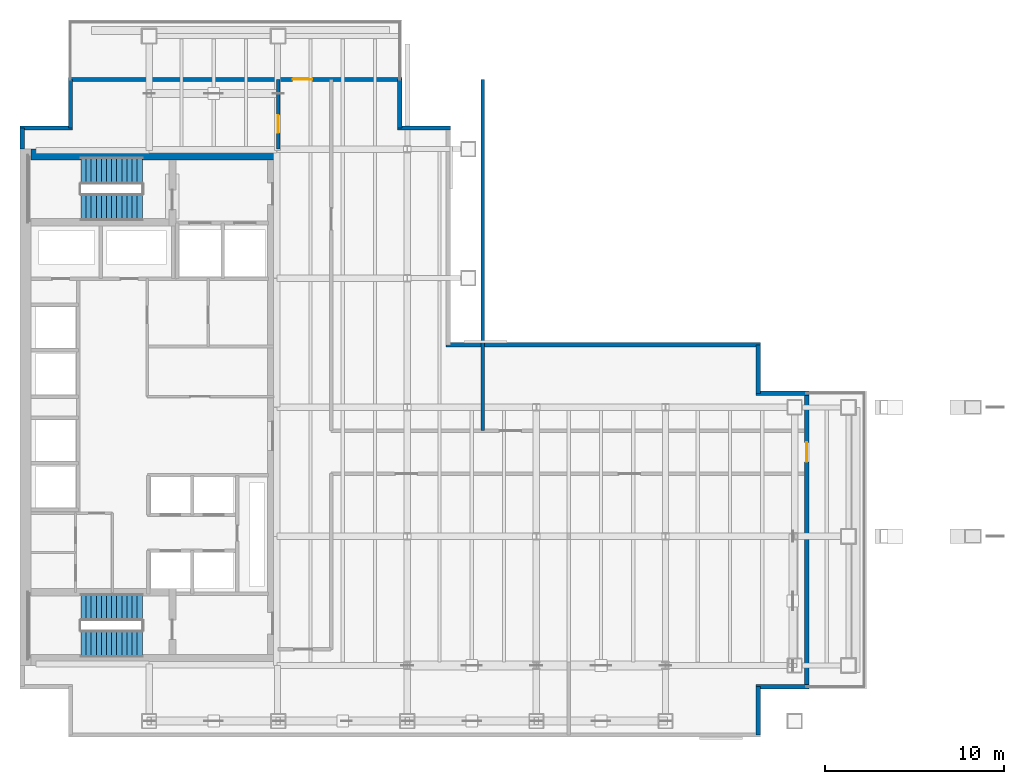
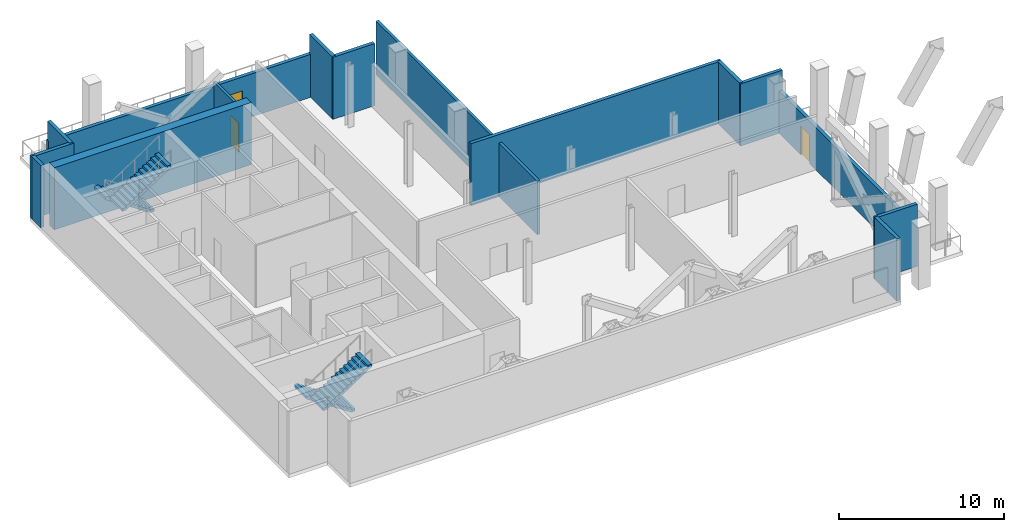
# One storey, part 6 of 8: 15 walls, 4 stair flights, 3 doors, 3 openings, 2 elements without a shape of their own.
"""IFC4 building model written with IfcOpenShell, lengths in metres."""

import ifcopenshell
import ifcopenshell.guid

model = None  # the IFC model being written
_history = None  # IfcOwnerHistory: only IFC2X3 demands one
_inside = {}  # id of a spatial element -> (the spatial element, [elements in it])
_under = {}  # id of a project, library or spatial element -> (it, [spatial elements below it])
_declared = {}  # id of a project -> (the project, [libraries it declares])
_typed = {}  # id of a type object -> (the type object, [elements of that type])
_made_of = {}  # id of a material, layer set ... -> (it, [elements and type objects made of it])


def new_model(schema):
    """Start an empty IFC model of exactly this schema.

    Asked for "IFC4X3", IfcOpenShell would pick the latest addendum, in which some entities
    have other attributes; the version numbers below select the first issue.
    IFC2X3 requires an IfcOwnerHistory on every rooted entity: one is made here for all.
    """
    global model, _history
    if schema == "IFC4X3":
        model = ifcopenshell.file(schema_version=(4, 3, 0, 0))
    else:
        model = ifcopenshell.file(schema=schema)
    _inside.clear()
    _under.clear()
    _declared.clear()
    _typed.clear()
    _made_of.clear()
    _history = None
    if model.schema == "IFC2X3":
        org = make("IfcOrganization", Name="unknown")
        user = make(
            "IfcPersonAndOrganization",
            ThePerson=make("IfcPerson", FamilyName="unknown"),
            TheOrganization=org,
        )
        app = make(
            "IfcApplication",
            ApplicationDeveloper=org,
            Version="unknown",
            ApplicationFullName="unknown",
            ApplicationIdentifier="unknown",
        )
        _history = make(
            "IfcOwnerHistory",
            OwningUser=user,
            OwningApplication=app,
            ChangeAction="ADDED",
            CreationDate=0,
        )
    return model


def make(cls, **values):
    """One entity of the class cls with the attributes given. An attribute that is None is left unset."""
    return model.create_entity(
        cls, **{name: value for name, value in values.items() if value is not None}
    )


def rooted(cls, **values):
    """An entity with a GlobalId (a new one), such as an element, a storey or a relation."""
    return make(cls, GlobalId=ifcopenshell.guid.new(), OwnerHistory=_history, **values)


def si_unit(unit_type, name, prefix=None):
    """IfcSIUnit, for example si_unit("LENGTHUNIT", "METRE", prefix="MILLI")."""
    return make("IfcSIUnit", UnitType=unit_type, Prefix=prefix, Name=name)


def assignment(units):
    """IfcUnitAssignment: the units of a project."""
    return None if units is None else make("IfcUnitAssignment", Units=units)


def point(xyz):
    """IfcCartesianPoint."""
    return None if xyz is None else make("IfcCartesianPoint", Coordinates=xyz)


def direction(xyz):
    """IfcDirection."""
    return None if xyz is None else make("IfcDirection", DirectionRatios=xyz)


def frame(location, z_axis=None, x_axis=None):
    """IfcAxis2Placement3D, a coordinate frame: its origin and axes. An axis left out is left unset."""
    return make(
        "IfcAxis2Placement3D",
        Location=point(location),
        Axis=direction(z_axis),
        RefDirection=direction(x_axis),
    )


def frame_2d(location, x_axis=None):
    """IfcAxis2Placement2D, a coordinate frame in the plane: its origin and x axis."""
    return make(
        "IfcAxis2Placement2D", Location=point(location), RefDirection=direction(x_axis)
    )


def origin():
    """The frame at (0, 0, 0) with its axes left unset."""
    return frame((0.0, 0.0, 0.0))


def place(relative_to, where):
    """IfcLocalPlacement: puts the frame where relative to a parent placement (None: the world)."""
    return make(
        "IfcLocalPlacement", PlacementRelTo=relative_to, RelativePlacement=where
    )


def context(
    kind, dimensions, precision=None, world=None, true_north=None, identifier=None
):
    """IfcGeometricRepresentationContext, for example the 3D "Model" context."""
    return make(
        "IfcGeometricRepresentationContext",
        ContextIdentifier=identifier,
        ContextType=kind,
        CoordinateSpaceDimension=dimensions,
        Precision=precision,
        WorldCoordinateSystem=world,
        TrueNorth=true_north,
    )


def subcontext(parent, identifier, kind, view, scale=None):
    """IfcGeometricRepresentationSubContext, for example "Body" below "Model"."""
    return make(
        "IfcGeometricRepresentationSubContext",
        ContextIdentifier=identifier,
        ContextType=kind,
        ParentContext=parent,
        TargetScale=scale,
        TargetView=view,
    )


def project(units=None, contexts=None):
    """IfcProject with its units and contexts."""
    return rooted(
        "IfcProject",
        Name="project",
        RepresentationContexts=contexts,
        UnitsInContext=assignment(units),
    )


def spatial(cls, under=None, at=None, **own):
    """A site, building, storey or space (cls), placed at a placement, below another one or the project."""
    s = rooted(cls, ObjectPlacement=at, **own)
    if under is not None:
        _under.setdefault(under.id(), (under, []))[1].append(s)
    return s


def polyline(points):
    """IfcPolyline through the points."""
    return make("IfcPolyline", Points=[point(p) for p in points])


def profile(cls, at=None, kind="AREA", **sizes):
    """A parametric profile (cls). Its sizes go by their IFC names, for example OverallWidth=200.0."""
    return make(cls, ProfileType=kind, Position=at, **sizes)


def rectangle(**sizes):
    """IfcRectangleProfileDef."""
    return profile("IfcRectangleProfileDef", **sizes)


def outline(outer, holes=None, kind="AREA"):
    """IfcArbitraryClosedProfileDef: a profile drawn as a closed curve; with holes, ...WithVoids."""
    if holes is None:
        return make("IfcArbitraryClosedProfileDef", ProfileType=kind, OuterCurve=outer)
    return make(
        "IfcArbitraryProfileDefWithVoids",
        ProfileType=kind,
        OuterCurve=outer,
        InnerCurves=holes,
    )


def extrude(swept, where, along, depth):
    """IfcExtrudedAreaSolid: the profile swept, set in the frame where, extruded along a direction by depth."""
    return make(
        "IfcExtrudedAreaSolid",
        SweptArea=swept,
        Position=where,
        ExtrudedDirection=direction(along),
        Depth=depth,
    )


def shape(context_of_items, identifier, shape_type, items):
    """IfcShapeRepresentation: the items that make up one representation, for example the "Body"."""
    return make(
        "IfcShapeRepresentation",
        ContextOfItems=context_of_items,
        RepresentationIdentifier=identifier,
        RepresentationType=shape_type,
        Items=items,
    )


def material(Name=None, Category=None):
    """IfcMaterial."""
    return make("IfcMaterial", Name=Name, Category=Category)


def layer(
    of_material, thickness, ventilated=None, Name=None, Category=None, Priority=None
):
    """IfcMaterialLayer: one layer of a wall or slab, of a material (None: an air gap)."""
    return make(
        "IfcMaterialLayer",
        Material=of_material,
        LayerThickness=thickness,
        IsVentilated=ventilated,
        Name=Name,
        Category=Category,
        Priority=Priority,
    )


def layer_set(layers, Name=None):
    """IfcMaterialLayerSet."""
    return make("IfcMaterialLayerSet", MaterialLayers=layers, LayerSetName=Name)


def made_of(thing, what):
    """Note that an element or type object is made of a material, layer set ...; save() writes the relation."""
    if what is not None:
        _made_of.setdefault(what.id(), (what, []))[1].append(thing)
    return thing


def type_object(cls, material=None, **own):
    """A type object (cls), such as IfcWallType, which elements share."""
    return made_of(rooted(cls, **own), material)


def element(
    cls,
    number,
    at=None,
    inside=None,
    cuts=None,
    type_object=None,
    material=None,
    context=None,
    identifier="Body",
    shape_type=None,
    held_by="IfcProductDefinitionShape",
    body=None,
    shapes=None,
    **own,
):
    """One element of the class cls, such as IfcWall. Its Tag is "e" and its number.

    at: its placement. inside: the storey or other place that contains it. cuts: it is an
    opening in that element (IfcRelVoidsElement). A single representation is given by context,
    identifier, shape_type and body (its items); several are given by shapes. held_by: the class
    of the entity that holds the representations. save() writes the other relations.
    """
    e = rooted(cls, Tag="e%d" % number, ObjectPlacement=at, **own)
    if body is not None:
        shapes = [shape(context, identifier, shape_type, body)]
    if shapes is not None:
        e.Representation = make(held_by, Representations=shapes)
    if inside is not None:
        _inside.setdefault(inside.id(), (inside, []))[1].append(e)
    if cuts is not None:
        rooted(
            "IfcRelVoidsElement", RelatingBuildingElement=cuts, RelatedOpeningElement=e
        )
    if type_object is not None:
        _typed.setdefault(type_object.id(), (type_object, []))[1].append(e)
    return made_of(e, material)


def fill(opening, filler):
    """IfcRelFillsElement: the door or window that sits in an opening."""
    return rooted(
        "IfcRelFillsElement",
        RelatingOpeningElement=opening,
        RelatedBuildingElement=filler,
    )


def aggregate(whole, parts):
    """IfcRelAggregates: a whole, such as a stair, and the parts it consists of."""
    return rooted("IfcRelAggregates", RelatingObject=whole, RelatedObjects=parts)


def save(model, path):
    """Write the relations noted so far, then the file.

    IfcRelAggregates (storeys below a building ...), IfcRelContainedInSpatialStructure (elements
    in a storey), IfcRelDefinesByType, IfcRelAssociatesMaterial and IfcRelDeclares: one each for
    every whole, place, type object, material and project.
    """
    for whole, parts in _under.values():
        aggregate(whole, parts)
    for where, things in _inside.values():
        rooted(
            "IfcRelContainedInSpatialStructure",
            RelatedElements=things,
            RelatingStructure=where,
        )
    for kind, things in _typed.values():
        rooted("IfcRelDefinesByType", RelatedObjects=things, RelatingType=kind)
    for what, things in _made_of.values():
        rooted("IfcRelAssociatesMaterial", RelatedObjects=things, RelatingMaterial=what)
    for by, libraries in _declared.values():
        rooted("IfcRelDeclares", RelatingContext=by, RelatedDefinitions=libraries)
    model.write(path)


model = new_model("IFC4")

# Units and contexts
model_context = context("Model", 3, precision=1e-05, world=origin(), true_north=direction((0.0, 1.0)))
body_context = subcontext(model_context, "Body", "Model", "MODEL_VIEW")
ifc_project = project(units=[si_unit("LENGTHUNIT", "METRE"), si_unit("AREAUNIT", "SQUARE_METRE"), si_unit("VOLUMEUNIT", "CUBIC_METRE"), si_unit("PLANEANGLEUNIT", "RADIAN"), si_unit("MASSUNIT", "GRAM", prefix="KILO")], contexts=[model_context])

# Site, building, storey
site_placement = place(None, origin())
site = spatial("IfcSite", under=ifc_project, at=site_placement, CompositionType="ELEMENT")
building_placement = place(site_placement, origin())
building = spatial("IfcBuilding", under=site, at=building_placement, Name="Cobrela Telecom Tower", CompositionType="ELEMENT")
storey_placement = place(building_placement, frame((0.0, 0.0, 163.800048828125)))
storey = spatial("IfcBuildingStorey", under=building, at=storey_placement, Name="L41", CompositionType="ELEMENT", Elevation=163.800048828125)

# Walls
ifc_material_1 = material(Name="Concrete C50/60", Category="concrete")
ifc_layer_1 = layer(ifc_material_1, 0.60009765625)
ifc_layer_set_1 = layer_set([ifc_layer_1], Name="Concrete C50/60")
wall_type_1 = type_object("IfcWallType", Name="WALL-CORE-C50-600", PredefinedType="SHEAR", material=ifc_layer_set_1)
wall_1_placement = place(storey_placement, frame((0.60009765625, 35.699951171875, 0.0), z_axis=(0.0, 0.0, 1.0), x_axis=(1.0, 0.0, 0.0)))
element("IfcWall", 1, at=wall_1_placement, inside=storey, type_object=wall_type_1, Name="L41 North Core Shear Wall", PredefinedType="SHEAR", context=body_context, shape_type="SweptSolid", body=[
    extrude(rectangle(XDim=13.7998046875, YDim=0.60009765625, at=frame_2d((6.89990234375, 0.0))), origin(), (0.0, 0.0, 1.0), 4.599853515625),
])
ifc_material_2 = material(Name="Concrete C40/50", Category="concrete")
ifc_layer_2 = layer(ifc_material_2, 0.239990234375)
ifc_layer_set_2 = layer_set([ifc_layer_2], Name="Concrete C40/50")
wall_type_2 = type_object("IfcWallType", Name="WALL-EXT-300", PredefinedType="STANDARD", material=ifc_layer_set_2)
wall_2_placement = place(storey_placement, frame((0.1201171875, 36.0, 0.0), z_axis=(0.0, 0.0, 1.0), x_axis=(0.0, 1.0, 0.0)))
element("IfcWall", 2, at=wall_2_placement, inside=storey, type_object=wall_type_2, Name="L41 Plant Acoustic Exterior Wall 04", PredefinedType="STANDARD", context=body_context, shape_type="SweptSolid", body=[
    extrude(rectangle(XDim=1.179931640625, YDim=0.239990234375, at=frame_2d((0.58984375, 0.0))), origin(), (0.0, 0.0, 1.0), 4.599853515625),
])
wall_3_placement = place(storey_placement, frame((0.0, 37.179931640625, 0.0), z_axis=(0.0, 0.0, 1.0), x_axis=(1.0, 0.0, 0.0)))
element("IfcWall", 3, at=wall_3_placement, inside=storey, type_object=wall_type_2, Name="L41 Plant Acoustic Exterior Wall 05", PredefinedType="STANDARD", context=body_context, shape_type="SweptSolid", body=[
    extrude(rectangle(XDim=2.93994140625, YDim=0.239990234375, at=frame_2d((1.469970703125, 0.0))), origin(), (0.0, 0.0, 1.0), 4.599853515625),
])
wall_4_placement = place(storey_placement, frame((2.820068359375, 37.179931640625, 0.0), z_axis=(0.0, 0.0, 1.0), x_axis=(0.0, 1.0, 0.0)))
element("IfcWall", 4, at=wall_4_placement, inside=storey, type_object=wall_type_2, Name="L41 Plant Acoustic Exterior Wall 06", PredefinedType="STANDARD", context=body_context, shape_type="SweptSolid", body=[
    extrude(rectangle(XDim=2.699951171875, YDim=0.239990234375, at=frame_2d((1.35009765625, 0.0))), origin(), (0.0, 0.0, 1.0), 4.599853515625),
])

# Wall, opening, door
wall_5_placement = place(storey_placement, frame((2.699951171875, 39.8798828125, 0.0), z_axis=(0.0, 0.0, 1.0), x_axis=(1.0, 0.0, 0.0)))
wall_5 = element("IfcWall", 5, at=wall_5_placement, inside=storey, type_object=wall_type_2, Name="L41 Plant Acoustic Exterior Wall 07", PredefinedType="STANDARD", context=body_context, shape_type="SweptSolid", body=[
    extrude(rectangle(XDim=18.60009765625, YDim=0.239990234375, at=frame_2d((9.300048828125, 0.0))), origin(), (0.0, 0.0, 1.0), 3.18505859375),
])
opening_1_placement = place(wall_5_placement, frame((12.5, 0.0, 0.0)))
opening_1 = element("IfcOpeningElement", 6, at=opening_1_placement, cuts=wall_5, Name="Opening ED-3", PredefinedType="OPENING", context=body_context, shape_type="SweptSolid", body=[
    extrude(rectangle(XDim=1.10009765625, YDim=2.14990234375, at=frame_2d((0.550048828125, 1.074951171875))), frame((0.0, 0.1318359375, 0.0), z_axis=(0.0, -1.0, 0.0), x_axis=(1.0, 0.0, 0.0)), (0.0, 0.0, 1.0), 0.263916015625),
])
ifc_material_3 = material(Name="Anodized Bronze Aluminium 6063-T6", Category="aluminium")
door_type_1 = type_object("IfcDoorType", Name="DOOR-EXT-1100", OperationType="SINGLE_SWING_LEFT", PredefinedType="DOOR", material=ifc_material_3)
door_1_placement = place(opening_1_placement, origin())
door_1 = element("IfcDoor", 7, at=door_1_placement, inside=storey, type_object=door_type_1, Name="L41 Door ED-3", OperationType="SINGLE_SWING_RIGHT", OverallHeight=2.14990234375, OverallWidth=1.10009765625, PredefinedType="DOOR", context=body_context, shape_type="SweptSolid", body=[
    extrude(rectangle(XDim=1.10009765625, YDim=2.14990234375, at=frame_2d((0.550048828125, 1.074951171875))), frame((0.0, 0.02490234375, 0.0), z_axis=(0.0, -1.0, 0.0), x_axis=(1.0, 0.0, 0.0)), (0.0, 0.0, 1.0), 0.050048828125),
])
fill(opening_1, door_1)

# Walls
wall_6_placement = place(storey_placement, frame((21.179931640625, 39.8798828125, 0.0), z_axis=(0.0, 0.0, 1.0), x_axis=(0.0, -1.0, 0.0)))
element("IfcWall", 8, at=wall_6_placement, inside=storey, type_object=wall_type_2, Name="L41 Plant Acoustic Exterior Wall 08", PredefinedType="STANDARD", context=body_context, shape_type="SweptSolid", body=[
    extrude(rectangle(XDim=2.699951171875, YDim=0.239990234375, at=frame_2d((1.35009765625, 0.0))), origin(), (0.0, 0.0, 1.0), 4.599853515625),
])
wall_7_placement = place(storey_placement, frame((21.06005859375, 37.179931640625, 0.0), z_axis=(0.0, 0.0, 1.0), x_axis=(1.0, 0.0, 0.0)))
element("IfcWall", 9, at=wall_7_placement, inside=storey, type_object=wall_type_2, Name="L41 Plant Acoustic Exterior Wall 09", PredefinedType="STANDARD", context=body_context, shape_type="SweptSolid", body=[
    extrude(rectangle(XDim=2.93994140625, YDim=0.239990234375, at=frame_2d((1.469970703125, 0.0))), origin(), (0.0, 0.0, 1.0), 4.599853515625),
])
wall_8_placement = place(storey_placement, frame((23.760009765625, 25.080078125, 0.0), z_axis=(0.0, 0.0, 1.0), x_axis=(1.0, 0.0, 0.0)))
element("IfcWall", 10, at=wall_8_placement, inside=storey, type_object=wall_type_2, Name="L41 Plant Acoustic Exterior Wall 11", PredefinedType="STANDARD", context=body_context, shape_type="SweptSolid", body=[
    extrude(rectangle(XDim=17.5400390625, YDim=0.239990234375, at=frame_2d((8.77001953125, 0.0))), origin(), (0.0, 0.0, 1.0), 4.599853515625),
])
wall_9_placement = place(storey_placement, frame((41.179931640625, 25.080078125, 0.0), z_axis=(0.0, 0.0, 1.0), x_axis=(0.0, -1.0, 0.0)))
element("IfcWall", 11, at=wall_9_placement, inside=storey, type_object=wall_type_2, Name="L41 Plant Acoustic Exterior Wall 12", PredefinedType="STANDARD", context=body_context, shape_type="SweptSolid", body=[
    extrude(rectangle(XDim=2.7001953125, YDim=0.239990234375, at=frame_2d((1.35009765625, 0.0))), origin(), (0.0, 0.0, 1.0), 4.599853515625),
])
wall_10_placement = place(storey_placement, frame((41.06005859375, 22.3798828125, 0.0), z_axis=(0.0, 0.0, 1.0), x_axis=(1.0, 0.0, 0.0)))
element("IfcWall", 12, at=wall_10_placement, inside=storey, type_object=wall_type_2, Name="L41 Plant Acoustic Exterior Wall 13", PredefinedType="STANDARD", context=body_context, shape_type="SweptSolid", body=[
    extrude(rectangle(XDim=2.93994140625, YDim=0.239990234375, at=frame_2d((1.469970703125, 0.0))), origin(), (0.0, 0.0, 1.0), 4.599853515625),
])

# Wall, opening, door
wall_11_placement = place(storey_placement, frame((43.8798828125, 22.3798828125, 0.0), z_axis=(0.0, 0.0, 1.0), x_axis=(0.0, -1.0, 0.0)))
wall_11 = element("IfcWall", 13, at=wall_11_placement, inside=storey, type_object=wall_type_2, Name="L41 Plant Acoustic Exterior Wall 14", PredefinedType="STANDARD", context=body_context, shape_type="SweptSolid", body=[
    extrude(rectangle(XDim=16.35986328125, YDim=0.239990234375, at=frame_2d((8.179931640625, 0.0))), origin(), (0.0, 0.0, 1.0), 3.135009765625),
])
opening_2_placement = place(wall_11_placement, frame((2.72998046875, 0.0, 0.0)))
opening_2 = element("IfcOpeningElement", 14, at=opening_2_placement, cuts=wall_11, Name="Opening ED-3", PredefinedType="OPENING", context=body_context, shape_type="SweptSolid", body=[
    extrude(rectangle(XDim=1.10009765625, YDim=2.14990234375, at=frame_2d((0.550048828125, 1.074951171875))), frame((0.0, 0.1318359375, 0.0), z_axis=(0.0, -1.0, 0.0), x_axis=(1.0, 0.0, 0.0)), (0.0, 0.0, 1.0), 0.263916015625),
])
door_2_placement = place(opening_2_placement, origin())
door_2 = element("IfcDoor", 15, at=door_2_placement, inside=storey, type_object=door_type_1, Name="L41 Door ED-3", OperationType="SINGLE_SWING_LEFT", OverallHeight=2.14990234375, OverallWidth=1.10009765625, PredefinedType="DOOR", context=body_context, shape_type="SweptSolid", body=[
    extrude(rectangle(XDim=1.10009765625, YDim=2.14990234375, at=frame_2d((0.550048828125, 1.074951171875))), frame((0.0, 0.02490234375, 0.0), z_axis=(0.0, -1.0, 0.0), x_axis=(1.0, 0.0, 0.0)), (0.0, 0.0, 1.0), 0.050048828125),
])
fill(opening_2, door_2)

# Walls
wall_12_placement = place(storey_placement, frame((44.0, 6.02001953125, 0.0), z_axis=(0.0, 0.0, 1.0), x_axis=(-1.0, 0.0, 0.0)))
element("IfcWall", 16, at=wall_12_placement, inside=storey, type_object=wall_type_2, Name="L41 Plant Acoustic Exterior Wall 15", PredefinedType="STANDARD", context=body_context, shape_type="SweptSolid", body=[
    extrude(rectangle(XDim=2.93994140625, YDim=0.239990234375, at=frame_2d((1.469970703125, 0.0))), origin(), (0.0, 0.0, 1.0), 4.599853515625),
])
wall_13_placement = place(storey_placement, frame((41.179931640625, 6.02001953125, 0.0), z_axis=(0.0, 0.0, 1.0), x_axis=(0.0, -1.0, 0.0)))
element("IfcWall", 17, at=wall_13_placement, inside=storey, type_object=wall_type_2, Name="L41 Plant Acoustic Exterior Wall 16", PredefinedType="STANDARD", context=body_context, shape_type="SweptSolid", body=[
    extrude(rectangle(XDim=2.699951171875, YDim=0.239990234375, at=frame_2d((1.35009765625, 0.0))), origin(), (0.0, 0.0, 1.0), 4.599853515625),
])

# Wall, opening, door
ifc_material_4 = material(Name="Fire-Rated Gypsum Plasterboard")
ifc_layer_3 = layer(ifc_material_4, 0.199951171875)
ifc_layer_set_3 = layer_set([ifc_layer_3], Name="Fire-Rated Gypsum Plasterboard")
wall_type_3 = type_object("IfcWallType", Name="WALL-SHAFT-200", PredefinedType="PARTITIONING", material=ifc_layer_set_3)
wall_14_placement = place(storey_placement, frame((14.39990234375, 36.0, 0.0), z_axis=(0.0, 0.0, 1.0), x_axis=(0.0, 1.0, 0.0)))
wall_14 = element("IfcWall", 18, at=wall_14_placement, inside=storey, type_object=wall_type_3, Name="L41 Shaft Enclosure W-MP-NWW", PredefinedType="PARTITIONING", context=body_context, shape_type="SweptSolid", body=[
    extrude(rectangle(XDim=3.8798828125, YDim=0.199951171875, at=frame_2d((1.93994140625, 0.0))), origin(), (0.0, 0.0, 1.0), 3.467041015625),
])
opening_3_placement = place(wall_14_placement, frame((0.89990234375, 0.0, 0.0)))
opening_3 = element("IfcOpeningElement", 19, at=opening_3_placement, cuts=wall_14, Name="Opening DR-15", PredefinedType="OPENING", context=body_context, shape_type="SweptSolid", body=[
    extrude(rectangle(XDim=1.0, YDim=2.14990234375, at=frame_2d((0.5, 1.074951171875))), frame((0.0, 0.11181640625, 0.0), z_axis=(0.0, -1.0, 0.0), x_axis=(1.0, 0.0, 0.0)), (0.0, 0.0, 1.0), 0.223876953125),
])
ifc_material_5 = material(Name="Steel ASTM A36", Category="steel")
door_type_2 = type_object("IfcDoorType", Name="DOOR-FD60-1000", OperationType="SINGLE_SWING_LEFT", PredefinedType="DOOR", material=ifc_material_5)
door_3_placement = place(opening_3_placement, origin())
door_3 = element("IfcDoor", 20, at=door_3_placement, inside=storey, type_object=door_type_2, Name="L41 Door DR-15", OperationType="SINGLE_SWING_RIGHT", OverallHeight=2.14990234375, OverallWidth=1.0, PredefinedType="DOOR", context=body_context, shape_type="SweptSolid", body=[
    extrude(rectangle(XDim=1.0, YDim=2.14990234375, at=frame_2d((0.5, 1.074951171875))), frame((0.0, 0.02490234375, 0.0), z_axis=(0.0, -1.0, 0.0), x_axis=(1.0, 0.0, 0.0)), (0.0, 0.0, 1.0), 0.050048828125),
])
fill(opening_3, door_3)

# Wall
wall_15_placement = place(storey_placement, frame((25.800048828125, 20.300048828125, 0.0), z_axis=(0.0, 0.0, 1.0), x_axis=(0.0, 1.0, 0.0)))
element("IfcWall", 21, at=wall_15_placement, inside=storey, type_object=wall_type_3, Name="L41 Shaft Enclosure W-MP-V2", PredefinedType="PARTITIONING", context=body_context, shape_type="SweptSolid", body=[
    extrude(rectangle(XDim=19.579833984375, YDim=0.199951171875, at=frame_2d((9.7900390625, 0.0))), origin(), (0.0, 0.0, 1.0), 3.962890625),
])

# Stair, stair flights
stair_type = type_object("IfcStairType", Name="STAIR-CORE", PredefinedType="HALF_TURN_STAIR", material=ifc_material_2)
stair_1_placement = place(storey_placement, origin())
stair_1 = element("IfcStair", 22, at=stair_1_placement, inside=storey, type_object=stair_type, Name="L41 Smokeproof Exit Stair ST1", PredefinedType="HALF_TURN_STAIR")
stair_flight_type = type_object("IfcStairFlightType", Name="FLIGHT-CORE", PredefinedType="STRAIGHT", material=ifc_material_2)
stair_flight_1_placement = place(storey_placement, frame((6.820068359375, 34.800048828125, 0.0), z_axis=(0.0, 0.0, 1.0), x_axis=(-1.0, 0.0, 0.0)))
stair_flight_1 = element("IfcStairFlight", 23, at=stair_flight_1_placement, type_object=stair_flight_type, Name="ST1 flight 1", NumberOfRisers=13, NumberOfTreads=12, PredefinedType="STRAIGHT", RiserHeight=0.188461538, TreadLength=0.285, context=body_context, shape_type="SweptSolid", body=[
    extrude(outline(polyline([(0.0, 0.0), (0.0, 0.1884765625), (0.284912109375, 0.1884765625), (0.284912109375, 0.376953125), (0.570068359375, 0.376953125), (0.570068359375, 0.5654296875), (0.85498046875, 0.5654296875), (0.85498046875, 0.75390625), (1.139892578125, 0.75390625), (1.139892578125, 0.9423828125), (1.425048828125, 0.9423828125), (1.425048828125, 1.130859375), (1.7099609375, 1.130859375), (1.7099609375, 1.3193359375), (1.9951171875, 1.3193359375), (1.9951171875, 1.5078125), (2.280029296875, 1.5078125), (2.280029296875, 1.696044921875), (2.56494140625, 1.696044921875), (2.56494140625, 1.884521484375), (2.85009765625, 1.884521484375), (2.85009765625, 2.072998046875), (3.135009765625, 2.072998046875), (3.135009765625, 2.261474609375), (3.419921875, 2.261474609375), (3.419921875, 2.449951171875), (3.419921875, 2.081787109375), (0.271728515625, 0.0), (0.0, 0.0)])), frame((0.0, 0.75, 0.0), z_axis=(0.0, -1.0, 0.0), x_axis=(1.0, 0.0, 0.0)), (0.0, 0.0, 1.0), 1.5),
])
stair_flight_2_placement = place(storey_placement, frame((3.39990234375, 32.75, 2.449951171875), z_axis=(0.0, 0.0, 1.0), x_axis=(1.0, 0.0, 0.0)))
stair_flight_2 = element("IfcStairFlight", 24, at=stair_flight_2_placement, type_object=stair_flight_type, Name="ST1 flight 2", NumberOfRisers=13, NumberOfTreads=12, PredefinedType="STRAIGHT", RiserHeight=0.188461538, TreadLength=0.285, context=body_context, shape_type="SweptSolid", body=[
    extrude(outline(polyline([(0.0, 0.0), (0.0, 0.1884765625), (0.284912109375, 0.1884765625), (0.284912109375, 0.376953125), (0.570068359375, 0.376953125), (0.570068359375, 0.5654296875), (0.85498046875, 0.5654296875), (0.85498046875, 0.75390625), (1.139892578125, 0.75390625), (1.139892578125, 0.9423828125), (1.425048828125, 0.9423828125), (1.425048828125, 1.130859375), (1.7099609375, 1.130859375), (1.7099609375, 1.3193359375), (1.9951171875, 1.3193359375), (1.9951171875, 1.5078125), (2.280029296875, 1.5078125), (2.280029296875, 1.696044921875), (2.56494140625, 1.696044921875), (2.56494140625, 1.884521484375), (2.85009765625, 1.884521484375), (2.85009765625, 2.072998046875), (3.135009765625, 2.072998046875), (3.135009765625, 2.261474609375), (3.419921875, 2.261474609375), (3.419921875, 2.449951171875), (3.419921875, 2.081787109375), (0.271728515625, 0.0), (0.0, 0.0)])), frame((0.0, 0.75, 0.0), z_axis=(0.0, -1.0, 0.0), x_axis=(1.0, 0.0, 0.0)), (0.0, 0.0, 1.0), 1.5),
])
aggregate(stair_1, [stair_flight_1, stair_flight_2])

stair_2_placement = place(storey_placement, origin())
stair_2 = element("IfcStair", 25, at=stair_2_placement, inside=storey, type_object=stair_type, Name="L41 Smokeproof Exit Stair ST2", PredefinedType="HALF_TURN_STAIR")
stair_flight_3_placement = place(storey_placement, frame((6.820068359375, 10.449951171875, 0.0), z_axis=(0.0, 0.0, 1.0), x_axis=(-1.0, 0.0, 0.0)))
stair_flight_3 = element("IfcStairFlight", 26, at=stair_flight_3_placement, type_object=stair_flight_type, Name="ST2 flight 1", NumberOfRisers=13, NumberOfTreads=12, PredefinedType="STRAIGHT", RiserHeight=0.188461538, TreadLength=0.285, context=body_context, shape_type="SweptSolid", body=[
    extrude(outline(polyline([(0.0, 0.0), (0.0, 0.1884765625), (0.284912109375, 0.1884765625), (0.284912109375, 0.376953125), (0.570068359375, 0.376953125), (0.570068359375, 0.5654296875), (0.85498046875, 0.5654296875), (0.85498046875, 0.75390625), (1.139892578125, 0.75390625), (1.139892578125, 0.9423828125), (1.425048828125, 0.9423828125), (1.425048828125, 1.130859375), (1.7099609375, 1.130859375), (1.7099609375, 1.3193359375), (1.9951171875, 1.3193359375), (1.9951171875, 1.5078125), (2.280029296875, 1.5078125), (2.280029296875, 1.696044921875), (2.56494140625, 1.696044921875), (2.56494140625, 1.884521484375), (2.85009765625, 1.884521484375), (2.85009765625, 2.072998046875), (3.135009765625, 2.072998046875), (3.135009765625, 2.261474609375), (3.419921875, 2.261474609375), (3.419921875, 2.449951171875), (3.419921875, 2.081787109375), (0.271728515625, 0.0), (0.0, 0.0)])), frame((0.0, 0.75, 0.0), z_axis=(0.0, -1.0, 0.0), x_axis=(1.0, 0.0, 0.0)), (0.0, 0.0, 1.0), 1.5),
])
stair_flight_4_placement = place(storey_placement, frame((3.39990234375, 8.39990234375, 2.449951171875), z_axis=(0.0, 0.0, 1.0), x_axis=(1.0, 0.0, 0.0)))
stair_flight_4 = element("IfcStairFlight", 27, at=stair_flight_4_placement, type_object=stair_flight_type, Name="ST2 flight 2", NumberOfRisers=13, NumberOfTreads=12, PredefinedType="STRAIGHT", RiserHeight=0.188461538, TreadLength=0.285, context=body_context, shape_type="SweptSolid", body=[
    extrude(outline(polyline([(0.0, 0.0), (0.0, 0.1884765625), (0.284912109375, 0.1884765625), (0.284912109375, 0.376953125), (0.570068359375, 0.376953125), (0.570068359375, 0.5654296875), (0.85498046875, 0.5654296875), (0.85498046875, 0.75390625), (1.139892578125, 0.75390625), (1.139892578125, 0.9423828125), (1.425048828125, 0.9423828125), (1.425048828125, 1.130859375), (1.7099609375, 1.130859375), (1.7099609375, 1.3193359375), (1.9951171875, 1.3193359375), (1.9951171875, 1.5078125), (2.280029296875, 1.5078125), (2.280029296875, 1.696044921875), (2.56494140625, 1.696044921875), (2.56494140625, 1.884521484375), (2.85009765625, 1.884521484375), (2.85009765625, 2.072998046875), (3.135009765625, 2.072998046875), (3.135009765625, 2.261474609375), (3.419921875, 2.261474609375), (3.419921875, 2.449951171875), (3.419921875, 2.081787109375), (0.271728515625, 0.0), (0.0, 0.0)])), frame((0.0, 0.75, 0.0), z_axis=(0.0, -1.0, 0.0), x_axis=(1.0, 0.0, 0.0)), (0.0, 0.0, 1.0), 1.5),
])
aggregate(stair_2, [stair_flight_3, stair_flight_4])

save(model, "model.ifc")
